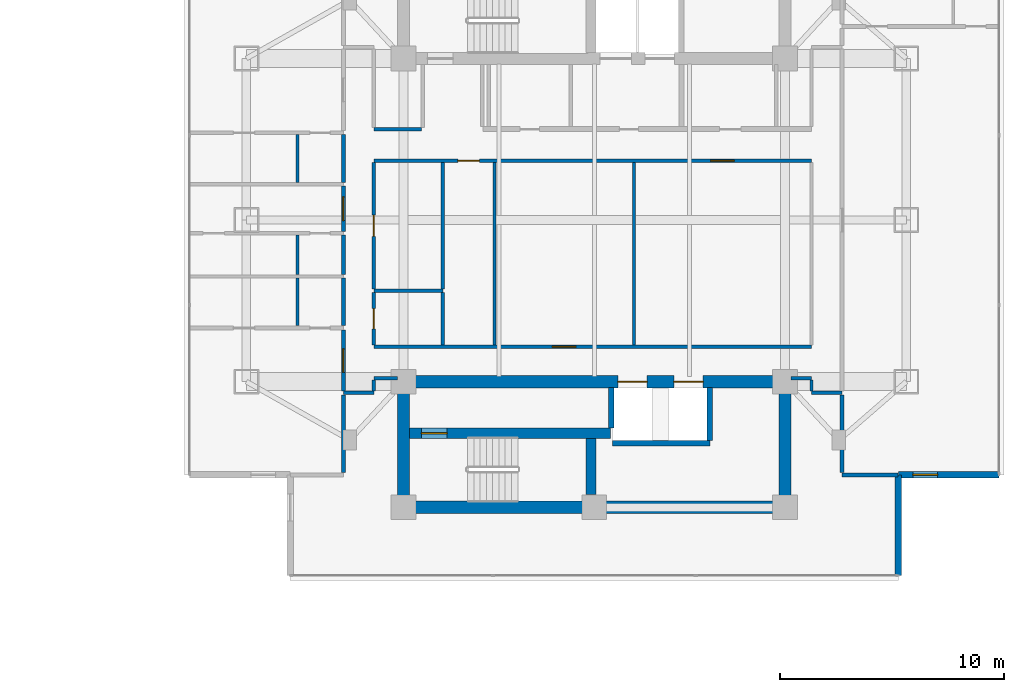
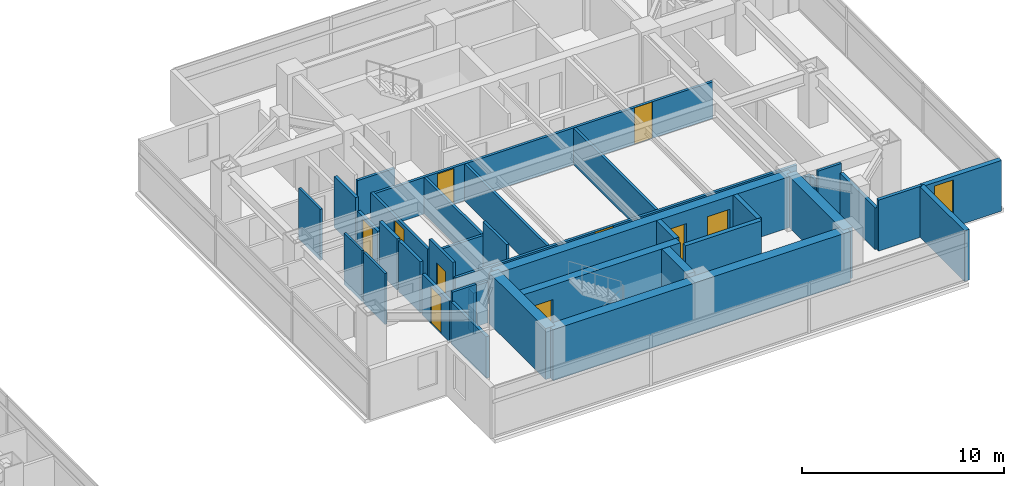
# One storey, part 16 of 24: 38 walls, 10 doors, 1 window, 11 openings.
"""IFC4 building model written with IfcOpenShell, lengths in metres."""

import ifcopenshell
import ifcopenshell.guid

model = None  # the IFC model being written
_history = None  # IfcOwnerHistory: only IFC2X3 demands one
_inside = {}  # id of a spatial element -> (the spatial element, [elements in it])
_under = {}  # id of a project, library or spatial element -> (it, [spatial elements below it])
_declared = {}  # id of a project -> (the project, [libraries it declares])
_typed = {}  # id of a type object -> (the type object, [elements of that type])
_made_of = {}  # id of a material, layer set ... -> (it, [elements and type objects made of it])


def new_model(schema):
    """Start an empty IFC model of exactly this schema.

    Asked for "IFC4X3", IfcOpenShell would pick the latest addendum, in which some entities
    have other attributes; the version numbers below select the first issue.
    IFC2X3 requires an IfcOwnerHistory on every rooted entity: one is made here for all.
    """
    global model, _history
    if schema == "IFC4X3":
        model = ifcopenshell.file(schema_version=(4, 3, 0, 0))
    else:
        model = ifcopenshell.file(schema=schema)
    _inside.clear()
    _under.clear()
    _declared.clear()
    _typed.clear()
    _made_of.clear()
    _history = None
    if model.schema == "IFC2X3":
        org = make("IfcOrganization", Name="unknown")
        user = make(
            "IfcPersonAndOrganization",
            ThePerson=make("IfcPerson", FamilyName="unknown"),
            TheOrganization=org,
        )
        app = make(
            "IfcApplication",
            ApplicationDeveloper=org,
            Version="unknown",
            ApplicationFullName="unknown",
            ApplicationIdentifier="unknown",
        )
        _history = make(
            "IfcOwnerHistory",
            OwningUser=user,
            OwningApplication=app,
            ChangeAction="ADDED",
            CreationDate=0,
        )
    return model


def make(cls, **values):
    """One entity of the class cls with the attributes given. An attribute that is None is left unset."""
    return model.create_entity(
        cls, **{name: value for name, value in values.items() if value is not None}
    )


def rooted(cls, **values):
    """An entity with a GlobalId (a new one), such as an element, a storey or a relation."""
    return make(cls, GlobalId=ifcopenshell.guid.new(), OwnerHistory=_history, **values)


def si_unit(unit_type, name, prefix=None):
    """IfcSIUnit, for example si_unit("LENGTHUNIT", "METRE", prefix="MILLI")."""
    return make("IfcSIUnit", UnitType=unit_type, Prefix=prefix, Name=name)


def assignment(units):
    """IfcUnitAssignment: the units of a project."""
    return None if units is None else make("IfcUnitAssignment", Units=units)


def point(xyz):
    """IfcCartesianPoint."""
    return None if xyz is None else make("IfcCartesianPoint", Coordinates=xyz)


def direction(xyz):
    """IfcDirection."""
    return None if xyz is None else make("IfcDirection", DirectionRatios=xyz)


def frame(location, z_axis=None, x_axis=None):
    """IfcAxis2Placement3D, a coordinate frame: its origin and axes. An axis left out is left unset."""
    return make(
        "IfcAxis2Placement3D",
        Location=point(location),
        Axis=direction(z_axis),
        RefDirection=direction(x_axis),
    )


def frame_2d(location, x_axis=None):
    """IfcAxis2Placement2D, a coordinate frame in the plane: its origin and x axis."""
    return make(
        "IfcAxis2Placement2D", Location=point(location), RefDirection=direction(x_axis)
    )


def origin():
    """The frame at (0, 0, 0) with its axes left unset."""
    return frame((0.0, 0.0, 0.0))


def place(relative_to, where):
    """IfcLocalPlacement: puts the frame where relative to a parent placement (None: the world)."""
    return make(
        "IfcLocalPlacement", PlacementRelTo=relative_to, RelativePlacement=where
    )


def context(
    kind, dimensions, precision=None, world=None, true_north=None, identifier=None
):
    """IfcGeometricRepresentationContext, for example the 3D "Model" context."""
    return make(
        "IfcGeometricRepresentationContext",
        ContextIdentifier=identifier,
        ContextType=kind,
        CoordinateSpaceDimension=dimensions,
        Precision=precision,
        WorldCoordinateSystem=world,
        TrueNorth=true_north,
    )


def subcontext(parent, identifier, kind, view, scale=None):
    """IfcGeometricRepresentationSubContext, for example "Body" below "Model"."""
    return make(
        "IfcGeometricRepresentationSubContext",
        ContextIdentifier=identifier,
        ContextType=kind,
        ParentContext=parent,
        TargetScale=scale,
        TargetView=view,
    )


def project(units=None, contexts=None):
    """IfcProject with its units and contexts."""
    return rooted(
        "IfcProject",
        Name="project",
        RepresentationContexts=contexts,
        UnitsInContext=assignment(units),
    )


def spatial(cls, under=None, at=None, **own):
    """A site, building, storey or space (cls), placed at a placement, below another one or the project."""
    s = rooted(cls, ObjectPlacement=at, **own)
    if under is not None:
        _under.setdefault(under.id(), (under, []))[1].append(s)
    return s


def profile(cls, at=None, kind="AREA", **sizes):
    """A parametric profile (cls). Its sizes go by their IFC names, for example OverallWidth=200.0."""
    return make(cls, ProfileType=kind, Position=at, **sizes)


def rectangle(**sizes):
    """IfcRectangleProfileDef."""
    return profile("IfcRectangleProfileDef", **sizes)


def extrude(swept, where, along, depth):
    """IfcExtrudedAreaSolid: the profile swept, set in the frame where, extruded along a direction by depth."""
    return make(
        "IfcExtrudedAreaSolid",
        SweptArea=swept,
        Position=where,
        ExtrudedDirection=direction(along),
        Depth=depth,
    )


def shape(context_of_items, identifier, shape_type, items):
    """IfcShapeRepresentation: the items that make up one representation, for example the "Body"."""
    return make(
        "IfcShapeRepresentation",
        ContextOfItems=context_of_items,
        RepresentationIdentifier=identifier,
        RepresentationType=shape_type,
        Items=items,
    )


def material(Name=None, Category=None):
    """IfcMaterial."""
    return make("IfcMaterial", Name=Name, Category=Category)


def layer(
    of_material, thickness, ventilated=None, Name=None, Category=None, Priority=None
):
    """IfcMaterialLayer: one layer of a wall or slab, of a material (None: an air gap)."""
    return make(
        "IfcMaterialLayer",
        Material=of_material,
        LayerThickness=thickness,
        IsVentilated=ventilated,
        Name=Name,
        Category=Category,
        Priority=Priority,
    )


def layer_set(layers, Name=None):
    """IfcMaterialLayerSet."""
    return make("IfcMaterialLayerSet", MaterialLayers=layers, LayerSetName=Name)


def made_of(thing, what):
    """Note that an element or type object is made of a material, layer set ...; save() writes the relation."""
    if what is not None:
        _made_of.setdefault(what.id(), (what, []))[1].append(thing)
    return thing


def type_object(cls, material=None, **own):
    """A type object (cls), such as IfcWallType, which elements share."""
    return made_of(rooted(cls, **own), material)


def element(
    cls,
    number,
    at=None,
    inside=None,
    cuts=None,
    type_object=None,
    material=None,
    context=None,
    identifier="Body",
    shape_type=None,
    held_by="IfcProductDefinitionShape",
    body=None,
    shapes=None,
    **own,
):
    """One element of the class cls, such as IfcWall. Its Tag is "e" and its number.

    at: its placement. inside: the storey or other place that contains it. cuts: it is an
    opening in that element (IfcRelVoidsElement). A single representation is given by context,
    identifier, shape_type and body (its items); several are given by shapes. held_by: the class
    of the entity that holds the representations. save() writes the other relations.
    """
    e = rooted(cls, Tag="e%d" % number, ObjectPlacement=at, **own)
    if body is not None:
        shapes = [shape(context, identifier, shape_type, body)]
    if shapes is not None:
        e.Representation = make(held_by, Representations=shapes)
    if inside is not None:
        _inside.setdefault(inside.id(), (inside, []))[1].append(e)
    if cuts is not None:
        rooted(
            "IfcRelVoidsElement", RelatingBuildingElement=cuts, RelatedOpeningElement=e
        )
    if type_object is not None:
        _typed.setdefault(type_object.id(), (type_object, []))[1].append(e)
    return made_of(e, material)


def fill(opening, filler):
    """IfcRelFillsElement: the door or window that sits in an opening."""
    return rooted(
        "IfcRelFillsElement",
        RelatingOpeningElement=opening,
        RelatedBuildingElement=filler,
    )


def aggregate(whole, parts):
    """IfcRelAggregates: a whole, such as a stair, and the parts it consists of."""
    return rooted("IfcRelAggregates", RelatingObject=whole, RelatedObjects=parts)


def save(model, path):
    """Write the relations noted so far, then the file.

    IfcRelAggregates (storeys below a building ...), IfcRelContainedInSpatialStructure (elements
    in a storey), IfcRelDefinesByType, IfcRelAssociatesMaterial and IfcRelDeclares: one each for
    every whole, place, type object, material and project.
    """
    for whole, parts in _under.values():
        aggregate(whole, parts)
    for where, things in _inside.values():
        rooted(
            "IfcRelContainedInSpatialStructure",
            RelatedElements=things,
            RelatingStructure=where,
        )
    for kind, things in _typed.values():
        rooted("IfcRelDefinesByType", RelatedObjects=things, RelatingType=kind)
    for what, things in _made_of.values():
        rooted("IfcRelAssociatesMaterial", RelatedObjects=things, RelatingMaterial=what)
    for by, libraries in _declared.values():
        rooted("IfcRelDeclares", RelatingContext=by, RelatedDefinitions=libraries)
    model.write(path)


model = new_model("IFC4")

# Units and contexts
model_context = context("Model", 3, precision=1e-05, world=origin(), true_north=direction((0.0, 1.0)))
body_context = subcontext(model_context, "Body", "Model", "MODEL_VIEW")
ifc_project = project(units=[si_unit("LENGTHUNIT", "METRE"), si_unit("AREAUNIT", "SQUARE_METRE"), si_unit("VOLUMEUNIT", "CUBIC_METRE"), si_unit("PLANEANGLEUNIT", "RADIAN"), si_unit("MASSUNIT", "GRAM", prefix="KILO")], contexts=[model_context])

# Site, building, storey
site_placement = place(None, origin())
site = spatial("IfcSite", under=ifc_project, at=site_placement, CompositionType="ELEMENT")
building_placement = place(site_placement, origin())
building = spatial("IfcBuilding", under=site, at=building_placement, Name="Mirazonda Arch Towers", CompositionType="ELEMENT")
storey_placement = place(building_placement, frame((0.0, 0.0, 134.60009765625)))
storey = spatial("IfcBuildingStorey", under=building, at=storey_placement, Name="L38", CompositionType="ELEMENT", Elevation=134.60009765625)

# Wall, opening, door
ifc_material_1 = material(Name="Concrete C50/60", Category="concrete")
ifc_layer_1 = layer(ifc_material_1, 0.449951171875, Name="WALL-CORE-450")
ifc_layer_set_1 = layer_set([ifc_layer_1], Name="Concrete C50/60")
wall_type_1 = type_object("IfcWallType", Name="WALL-CORE-450", PredefinedType="SHEAR", material=ifc_layer_set_1)
wall_1_placement = place(storey_placement, frame((68.27001953125, 18.5, 0.0), z_axis=(0.0, 0.0, 1.0), x_axis=(1.0, 0.0, 0.0)))
wall_1 = element("IfcWall", 1, at=wall_1_placement, inside=storey, type_object=wall_type_1, Name="L38 Stair Core Shear Wall 014", PredefinedType="SHEAR", context=body_context, shape_type="SweptSolid", body=[
    extrude(rectangle(XDim=8.949951171875, YDim=0.449951171875, at=frame_2d((4.47509765625, 0.0))), origin(), (0.0, 0.0, 1.0), 3.079833984375),
])
opening_1_placement = place(wall_1_placement, frame((0.52001953125, 0.0, 0.0)))
opening_1 = element("IfcOpeningElement", 2, at=opening_1_placement, cuts=wall_1, Name="Opening DR-135", PredefinedType="OPENING", context=body_context, shape_type="SweptSolid", body=[
    extrude(rectangle(XDim=1.14990234375, YDim=2.199951171875, at=frame_2d((0.574951171875, 1.10009765625))), frame((0.0, 0.23486328125, 0.0), z_axis=(0.0, -1.0, 0.0), x_axis=(1.0, 0.0, 0.0)), (0.0, 0.0, 1.0), 0.469970703125),
])
ifc_material_2 = material(Name="Architectural Brushed Steel S355", Category="steel")
door_type_1 = type_object("IfcDoorType", Name="DOOR-STAIR-FD90-1150", OperationType="NOTDEFINED", PredefinedType="DOOR", material=ifc_material_2)
door_1_placement = place(opening_1_placement, origin())
door_1 = element("IfcDoor", 3, at=door_1_placement, inside=storey, type_object=door_type_1, Name="L38 East Protected Stair South Door", OperationType="SINGLE_SWING_RIGHT", OverallHeight=2.199951171875, OverallWidth=1.14990234375, PredefinedType="DOOR", context=body_context, shape_type="SweptSolid", body=[
    extrude(rectangle(XDim=1.14990234375, YDim=2.199951171875, at=frame_2d((0.574951171875, 1.10009765625))), frame((0.0, 0.02490234375, 0.0), z_axis=(0.0, -1.0, 0.0), x_axis=(1.0, 0.0, 0.0)), (0.0, 0.0, 1.0), 0.050048828125),
])
fill(opening_1, door_1)

# Walls
wall_2_placement = place(storey_placement, frame((76.360107421875, 15.764892578125, 0.0), z_axis=(0.0, 0.0, 1.0), x_axis=(0.0, 1.0, 0.0)))
element("IfcWall", 4, at=wall_2_placement, inside=storey, type_object=wall_type_1, Name="L38 Stair Core Shear Wall 143", PredefinedType="SHEAR", context=body_context, shape_type="SweptSolid", body=[
    extrude(rectangle(XDim=2.5, YDim=0.449951171875, at=frame_2d((1.25, 0.0))), origin(), (0.0, 0.0, 1.0), 3.079833984375),
])
ifc_layer_2 = layer(ifc_material_1, 0.550048828125, Name="WALL-CORE-550")
ifc_layer_set_2 = layer_set([ifc_layer_2], Name="Concrete C50/60")
wall_type_2 = type_object("IfcWallType", Name="WALL-CORE-550", PredefinedType="SHEAR", material=ifc_layer_set_2)
wall_3_placement = place(storey_placement, frame((68.0, 15.199951171875, 0.0), z_axis=(0.0, 0.0, 1.0), x_axis=(1.0, 0.0, 0.0)))
element("IfcWall", 5, at=wall_3_placement, inside=storey, type_object=wall_type_2, Name="L38 T2S-S Core Shear Wall", PredefinedType="SHEAR", context=body_context, shape_type="SweptSolid", body=[
    extrude(rectangle(XDim=17.0, YDim=0.550048828125, at=frame_2d((8.5, 0.0))), origin(), (0.0, 0.0, 1.0), 3.079833984375),
])
for number, where, z_axis, x_axis, name in (
    (6, (68.0, 15.199951171875, 0.0), (0.0, 0.0, 1.0), (0.0, 1.0, 0.0), "L38 T2S-W Core Shear Wall"),
    (7, (85.0, 15.199951171875, 0.0), (0.0, 0.0, 1.0), (0.0, 1.0, 0.0), "L38 T2S-E Core Shear Wall"),
):
    element("IfcWall", number, at=place(storey_placement, frame(where, z_axis=z_axis, x_axis=x_axis)), inside=storey, type_object=wall_type_2, Name=name, PredefinedType="SHEAR", context=body_context, shape_type="SweptSolid", body=[
        extrude(rectangle(XDim=5.60009765625, YDim=0.550048828125, at=frame_2d((2.800048828125, 0.0))), origin(), (0.0, 0.0, 1.0), 3.079833984375),
    ])

# Wall, openings, doors
wall_4_placement = place(storey_placement, frame((68.0, 20.800048828125, 0.0), z_axis=(0.0, 0.0, 1.0), x_axis=(1.0, 0.0, 0.0)))
wall_4 = element("IfcWall", 8, at=wall_4_placement, inside=storey, type_object=wall_type_2, Name="L38 T2S-N Core Shear Wall", PredefinedType="SHEAR", context=body_context, shape_type="SweptSolid", body=[
    extrude(rectangle(XDim=17.0, YDim=0.550048828125, at=frame_2d((8.5, 0.0))), origin(), (0.0, 0.0, 1.0), 3.079833984375),
])
opening_2_placement = place(wall_4_placement, frame((9.550048828125, 0.0, 0.0)))
opening_2 = element("IfcOpeningElement", 9, at=opening_2_placement, cuts=wall_4, Name="Opening LD-111", PredefinedType="OPENING", context=body_context, shape_type="SweptSolid", body=[
    extrude(rectangle(XDim=1.300048828125, YDim=2.300048828125, at=frame_2d((0.64990234375, 1.14990234375))), frame((0.0, 0.284912109375, 0.0), z_axis=(0.0, -1.0, 0.0), x_axis=(1.0, 0.0, 0.0)), (0.0, 0.0, 1.0), 0.570068359375),
])
opening_3_placement = place(wall_4_placement, frame((12.050048828125, 0.0, 0.0)))
opening_3 = element("IfcOpeningElement", 10, at=opening_3_placement, cuts=wall_4, Name="Opening LD-111", PredefinedType="OPENING", context=body_context, shape_type="SweptSolid", body=[
    extrude(rectangle(XDim=1.300048828125, YDim=2.300048828125, at=frame_2d((0.64990234375, 1.14990234375))), frame((0.0, 0.284912109375, 0.0), z_axis=(0.0, -1.0, 0.0), x_axis=(1.0, 0.0, 0.0)), (0.0, 0.0, 1.0), 0.570068359375),
])
door_type_2 = type_object("IfcDoorType", Name="DOOR-LIFT-LAND-1300", OperationType="NOTDEFINED", PredefinedType="DOOR", material=ifc_material_2)
door_2_placement = place(opening_2_placement, origin())
door_2 = element("IfcDoor", 11, at=door_2_placement, inside=storey, type_object=door_type_2, Name="L38 Lift Landing Sliding Door PL-T2H1", OperationType="DOUBLE_DOOR_SLIDING", OverallHeight=2.300048828125, OverallWidth=1.300048828125, PredefinedType="DOOR", context=body_context, shape_type="SweptSolid", body=[
    extrude(rectangle(XDim=1.300048828125, YDim=2.300048828125, at=frame_2d((0.64990234375, 1.14990234375))), frame((0.0, 0.02490234375, 0.0), z_axis=(0.0, -1.0, 0.0), x_axis=(1.0, 0.0, 0.0)), (0.0, 0.0, 1.0), 0.050048828125),
])
fill(opening_2, door_2)
door_3_placement = place(opening_3_placement, origin())
door_3 = element("IfcDoor", 12, at=door_3_placement, inside=storey, type_object=door_type_2, Name="L38 Lift Landing Sliding Door PL-T2H2", OperationType="DOUBLE_DOOR_SLIDING", OverallHeight=2.300048828125, OverallWidth=1.300048828125, PredefinedType="DOOR", context=body_context, shape_type="SweptSolid", body=[
    extrude(rectangle(XDim=1.300048828125, YDim=2.300048828125, at=frame_2d((0.64990234375, 1.14990234375))), frame((0.0, 0.02490234375, 0.0), z_axis=(0.0, -1.0, 0.0), x_axis=(1.0, 0.0, 0.0)), (0.0, 0.0, 1.0), 0.050048828125),
])
fill(opening_3, door_3)

# Wall, opening, window
ifc_material_3 = material(Name="Precast Concrete C40/50", Category="concrete")
ifc_layer_3 = layer(ifc_material_3, 0.280029296875, Name="WALL-EXT-WALL-280")
ifc_layer_set_3 = layer_set([ifc_layer_3], Name="Precast Concrete C40/50")
wall_type_3 = type_object("IfcWallType", Name="WALL-EXT-WALL-280", PredefinedType="SOLIDWALL", material=ifc_layer_set_3)
wall_5_placement = place(storey_placement, frame((90.048583984375, 16.65087890625, 0.0), z_axis=(0.0, 0.0, 1.0), x_axis=(1.0, 0.0, 0.0)))
wall_5 = element("IfcWall", 13, at=wall_5_placement, inside=storey, type_object=wall_type_3, Name="L38 T2 Corner Notch Return Wall WL-L38-T2-CSE1", PredefinedType="SOLIDWALL", context=body_context, shape_type="SweptSolid", body=[
    extrude(rectangle(XDim=4.486328125, YDim=0.280029296875, at=frame_2d((2.2431640625, 0.0))), origin(), (0.0, 0.0, 1.0), 3.059814453125),
])
opening_4_placement = place(wall_5_placement, frame((0.64990234375, 0.0, 0.85009765625)))
opening_4 = element("IfcOpeningElement", 14, at=opening_4_placement, cuts=wall_5, Name="Opening WN-108", PredefinedType="OPENING", context=body_context, shape_type="SweptSolid", body=[
    extrude(rectangle(XDim=1.10009765625, YDim=2.0, at=frame_2d((0.550048828125, 1.0))), frame((0.0, 0.14990234375, 0.0), z_axis=(0.0, -1.0, 0.0), x_axis=(1.0, 0.0, 0.0)), (0.0, 0.0, 1.0), 0.300048828125),
])
ifc_material_4 = material(Name="Insulated Low-E Solar Glass", Category="glass")
window_type = type_object("IfcWindowType", Name="WIN-NOTCH-1100x2000", PartitioningType="SINGLE_PANEL", PredefinedType="WINDOW", material=ifc_material_4)
window_placement = place(opening_4_placement, origin())
window = element("IfcWindow", 15, at=window_placement, inside=storey, type_object=window_type, Name="L38 Punched Facade Window WN-L38-T2-CSE1", OverallHeight=2.0, OverallWidth=1.10009765625, PartitioningType="SINGLE_PANEL", PredefinedType="WINDOW", context=body_context, shape_type="SweptSolid", body=[
    extrude(rectangle(XDim=1.10009765625, YDim=2.0, at=frame_2d((0.550048828125, 1.0))), frame((0.0, 0.030029296875, 0.0), z_axis=(0.0, -1.0, 0.0), x_axis=(1.0, 0.0, 0.0)), (0.0, 0.0, 1.0), 0.06005859375),
])
fill(opening_4, window)

# Walls
wall_6_placement = place(storey_placement, frame((90.048583984375, 12.16455078125, 0.0), z_axis=(0.0, 0.0, 1.0), x_axis=(0.0, 1.0, 0.0)))
element("IfcWall", 16, at=wall_6_placement, inside=storey, type_object=wall_type_3, Name="L38 T2 Corner Notch Return Wall WL-L38-T2-CSE2", PredefinedType="SOLIDWALL", context=body_context, shape_type="SweptSolid", body=[
    extrude(rectangle(XDim=4.486328125, YDim=0.280029296875, at=frame_2d((2.2431640625, 0.0))), origin(), (0.0, 0.0, 1.0), 3.059814453125),
])
ifc_material_5 = material(Name="Fire-Rated Gypsum Stud Partition")
ifc_layer_4 = layer(ifc_material_5, 0.14990234375, Name="WALL-PART-CORR-150")
ifc_layer_set_4 = layer_set([ifc_layer_4], Name="Fire-Rated Gypsum Stud Partition")
wall_type_4 = type_object("IfcWallType", Name="WALL-PART-CORR-150", PredefinedType="PARTITIONING", material=ifc_layer_set_4)
wall_7_placement = place(storey_placement, frame((65.320068359375, 20.300048828125, 0.0), z_axis=(0.0, 0.0, 1.0), x_axis=(1.0, 0.0, 0.0)))
element("IfcWall", 17, at=wall_7_placement, inside=storey, type_object=wall_type_4, Name="L38 Interior Partition 018", PredefinedType="PARTITIONING", context=body_context, shape_type="SweptSolid", body=[
    extrude(rectangle(XDim=1.35986328125, YDim=0.14990234375, at=frame_2d((0.679931640625, 0.0))), origin(), (0.0, 0.0, 1.0), 3.079833984375),
])
wall_8_placement = place(storey_placement, frame((86.179931640625, 20.300048828125, 0.0), z_axis=(0.0, 0.0, 1.0), x_axis=(1.0, 0.0, 0.0)))
element("IfcWall", 18, at=wall_8_placement, inside=storey, type_object=wall_type_4, Name="L38 Interior Partition 019", PredefinedType="PARTITIONING", context=body_context, shape_type="SweptSolid", body=[
    extrude(rectangle(XDim=1.360107421875, YDim=0.14990234375, at=frame_2d((0.68017578125, 0.0))), origin(), (0.0, 0.0, 1.0), 3.079833984375),
])
wall_9_placement = place(storey_placement, frame((66.679931640625, 20.949951171875, 0.0), z_axis=(0.0, 0.0, 1.0), x_axis=(1.0, 0.0, 0.0)))
element("IfcWall", 19, at=wall_9_placement, inside=storey, type_object=wall_type_4, Name="L38 Interior Partition 020", PredefinedType="PARTITIONING", context=body_context, shape_type="SweptSolid", body=[
    extrude(rectangle(XDim=1.050048828125, YDim=0.14990234375, at=frame_2d((0.52490234375, 0.0))), origin(), (0.0, 0.0, 1.0), 2.471923828125),
])
wall_10_placement = place(storey_placement, frame((85.27001953125, 20.949951171875, 0.0), z_axis=(0.0, 0.0, 1.0), x_axis=(1.0, 0.0, 0.0)))
element("IfcWall", 20, at=wall_10_placement, inside=storey, type_object=wall_type_4, Name="L38 Interior Partition 021", PredefinedType="PARTITIONING", context=body_context, shape_type="SweptSolid", body=[
    extrude(rectangle(XDim=0.909912109375, YDim=0.14990234375, at=frame_2d((0.455078125, 0.0))), origin(), (0.0, 0.0, 1.0), 2.471923828125),
])

# Wall, opening, door
wall_11_placement = place(storey_placement, frame((66.679931640625, 22.35009765625, 0.0), z_axis=(0.0, 0.0, 1.0), x_axis=(1.0, 0.0, 0.0)))
wall_11 = element("IfcWall", 21, at=wall_11_placement, inside=storey, type_object=wall_type_4, Name="L38 Interior Partition 023", PredefinedType="PARTITIONING", context=body_context, shape_type="SweptSolid", body=[
    extrude(rectangle(XDim=19.5, YDim=0.14990234375, at=frame_2d((9.75, 0.0))), origin(), (0.0, 0.0, 1.0), 2.2158203125),
])
opening_5_placement = place(wall_11_placement, frame((7.95361328125, 0.0, 0.0)))
opening_5 = element("IfcOpeningElement", 22, at=opening_5_placement, cuts=wall_11, Name="Opening DR-121", PredefinedType="OPENING", context=body_context, shape_type="SweptSolid", body=[
    extrude(rectangle(XDim=1.050048828125, YDim=2.199951171875, at=frame_2d((0.52490234375, 1.10009765625))), frame((0.0, 0.0849609375, 0.0), z_axis=(0.0, -1.0, 0.0), x_axis=(1.0, 0.0, 0.0)), (0.0, 0.0, 1.0), 0.169921875),
])
door_type_3 = type_object("IfcDoorType", Name="DOOR-SUITE-FD60-1050", OperationType="NOTDEFINED", PredefinedType="DOOR", material=ifc_material_2)
door_4_placement = place(opening_5_placement, origin())
door_4 = element("IfcDoor", 23, at=door_4_placement, inside=storey, type_object=door_type_3, Name="L38 Executive Club Lounge Door", OperationType="SINGLE_SWING_RIGHT", OverallHeight=2.199951171875, OverallWidth=1.050048828125, PredefinedType="DOOR", context=body_context, shape_type="SweptSolid", body=[
    extrude(rectangle(XDim=1.050048828125, YDim=2.199951171875, at=frame_2d((0.52490234375, 1.10009765625))), frame((0.0, 0.02490234375, 0.0), z_axis=(0.0, -1.0, 0.0), x_axis=(1.0, 0.0, 0.0)), (0.0, 0.0, 1.0), 0.050048828125),
])
fill(opening_5, door_4)

# Wall
wall_12_placement = place(storey_placement, frame((66.679931640625, 24.85009765625, 0.0), z_axis=(0.0, 0.0, 1.0), x_axis=(1.0, 0.0, 0.0)))
element("IfcWall", 24, at=wall_12_placement, inside=storey, type_object=wall_type_4, Name="L38 Interior Partition 027", PredefinedType="PARTITIONING", context=body_context, shape_type="SweptSolid", body=[
    extrude(rectangle(XDim=3.070068359375, YDim=0.14990234375, at=frame_2d((1.53515625, 0.0))), origin(), (0.0, 0.0, 1.0), 2.2158203125),
])

# Wall, openings, doors
wall_13_placement = place(storey_placement, frame((66.679931640625, 30.64990234375, 0.0), z_axis=(0.0, 0.0, 1.0), x_axis=(1.0, 0.0, 0.0)))
wall_13 = element("IfcWall", 25, at=wall_13_placement, inside=storey, type_object=wall_type_4, Name="L38 Interior Partition 038", PredefinedType="PARTITIONING", context=body_context, shape_type="SweptSolid", body=[
    extrude(rectangle(XDim=19.5, YDim=0.14990234375, at=frame_2d((9.75, 0.0))), origin(), (0.0, 0.0, 1.0), 2.2158203125),
])
opening_6_placement = place(wall_13_placement, frame((3.7451171875, 0.0, 0.0)))
opening_6 = element("IfcOpeningElement", 26, at=opening_6_placement, cuts=wall_13, Name="Opening DR-104", PredefinedType="OPENING", context=body_context, shape_type="SweptSolid", body=[
    extrude(rectangle(XDim=0.949951171875, YDim=2.14990234375, at=frame_2d((0.47509765625, 1.074951171875))), frame((0.0, 0.0849609375, 0.0), z_axis=(0.0, -1.0, 0.0), x_axis=(1.0, 0.0, 0.0)), (0.0, 0.0, 1.0), 0.169921875),
])
opening_7_placement = place(wall_13_placement, frame((14.99853515625, 0.0, 0.0)))
opening_7 = element("IfcOpeningElement", 27, at=opening_7_placement, cuts=wall_13, Name="Opening DR-121", PredefinedType="OPENING", context=body_context, shape_type="SweptSolid", body=[
    extrude(rectangle(XDim=1.050048828125, YDim=2.199951171875, at=frame_2d((0.52490234375, 1.10009765625))), frame((0.0, 0.0849609375, 0.0), z_axis=(0.0, -1.0, 0.0), x_axis=(1.0, 0.0, 0.0)), (0.0, 0.0, 1.0), 0.169921875),
])
door_type_4 = type_object("IfcDoorType", Name="DOOR-ROOM-950", OperationType="NOTDEFINED", PredefinedType="DOOR", material=ifc_material_2)
door_5_placement = place(opening_6_placement, origin())
door_5 = element("IfcDoor", 28, at=door_5_placement, inside=storey, type_object=door_type_4, Name="L38 L38 East Courtyard Study Door", OperationType="SINGLE_SWING_LEFT", OverallHeight=2.14990234375, OverallWidth=0.949951171875, PredefinedType="DOOR", context=body_context, shape_type="SweptSolid", body=[
    extrude(rectangle(XDim=0.949951171875, YDim=2.14990234375, at=frame_2d((0.47509765625, 1.074951171875))), frame((0.0, 0.02490234375, 0.0), z_axis=(0.0, -1.0, 0.0), x_axis=(1.0, 0.0, 0.0)), (0.0, 0.0, 1.0), 0.050048828125),
])
fill(opening_6, door_5)
door_6_placement = place(opening_7_placement, origin())
door_6 = element("IfcDoor", 29, at=door_6_placement, inside=storey, type_object=door_type_3, Name="L38 Business Reading Study Door", OperationType="SINGLE_SWING_LEFT", OverallHeight=2.199951171875, OverallWidth=1.050048828125, PredefinedType="DOOR", context=body_context, shape_type="SweptSolid", body=[
    extrude(rectangle(XDim=1.050048828125, YDim=2.199951171875, at=frame_2d((0.52490234375, 1.10009765625))), frame((0.0, 0.02490234375, 0.0), z_axis=(0.0, -1.0, 0.0), x_axis=(1.0, 0.0, 0.0)), (0.0, 0.0, 1.0), 0.050048828125),
])
fill(opening_7, door_6)

# Walls
wall_14_placement = place(storey_placement, frame((66.679931640625, 32.050048828125, 0.0), z_axis=(0.0, 0.0, 1.0), x_axis=(1.0, 0.0, 0.0)))
element("IfcWall", 30, at=wall_14_placement, inside=storey, type_object=wall_type_4, Name="L38 Interior Partition 042", PredefinedType="PARTITIONING", context=body_context, shape_type="SweptSolid", body=[
    extrude(rectangle(XDim=2.1201171875, YDim=0.14990234375, at=frame_2d((1.06005859375, 0.0))), origin(), (0.0, 0.0, 1.0), 2.2158203125),
])
wall_15_placement = place(storey_placement, frame((66.679931640625, 20.385009765625, 0.0), z_axis=(0.0, 0.0, 1.0), x_axis=(0.0, 1.0, 0.0)))
element("IfcWall", 31, at=wall_15_placement, inside=storey, type_object=wall_type_4, Name="L38 Interior Partition 132", PredefinedType="PARTITIONING", context=body_context, shape_type="SweptSolid", body=[
    extrude(rectangle(XDim=0.47998046875, YDim=0.14990234375, at=frame_2d((0.239990234375, 0.0))), origin(), (0.0, 0.0, 1.0), 2.471923828125),
])

# Wall, opening, door
wall_16_placement = place(storey_placement, frame((66.679931640625, 22.43505859375, 0.0), z_axis=(0.0, 0.0, 1.0), x_axis=(0.0, 1.0, 0.0)))
wall_16 = element("IfcWall", 32, at=wall_16_placement, inside=storey, type_object=wall_type_4, Name="L38 Interior Partition 133", PredefinedType="PARTITIONING", context=body_context, shape_type="SweptSolid", body=[
    extrude(rectangle(XDim=2.329833984375, YDim=0.14990234375, at=frame_2d((1.1650390625, 0.0))), origin(), (0.0, 0.0, 1.0), 3.079833984375),
])
opening_8_placement = place(wall_16_placement, frame((0.715087890625, 0.0, 0.0)))
opening_8 = element("IfcOpeningElement", 33, at=opening_8_placement, cuts=wall_16, Name="Opening DR-120", PredefinedType="OPENING", context=body_context, shape_type="SweptSolid", body=[
    extrude(rectangle(XDim=0.89990234375, YDim=2.10009765625, at=frame_2d((0.449951171875, 1.050048828125))), frame((0.0, 0.0849609375, 0.0), z_axis=(0.0, -1.0, 0.0), x_axis=(1.0, 0.0, 0.0)), (0.0, 0.0, 1.0), 0.169921875),
])
door_type_5 = type_object("IfcDoorType", Name="DOOR-WC-900", OperationType="NOTDEFINED", PredefinedType="DOOR", material=ifc_material_2)
door_7_placement = place(opening_8_placement, origin())
door_7 = element("IfcDoor", 34, at=door_7_placement, inside=storey, type_object=door_type_5, Name="L38 Tower 2 Common Accessible WC Door", OperationType="SINGLE_SWING_LEFT", OverallHeight=2.10009765625, OverallWidth=0.89990234375, PredefinedType="DOOR", context=body_context, shape_type="SweptSolid", body=[
    extrude(rectangle(XDim=0.89990234375, YDim=2.10009765625, at=frame_2d((0.449951171875, 1.050048828125))), frame((0.0, 0.02490234375, 0.0), z_axis=(0.0, -1.0, 0.0), x_axis=(1.0, 0.0, 0.0)), (0.0, 0.0, 1.0), 0.050048828125),
])
fill(opening_8, door_7)

wall_17_placement = place(storey_placement, frame((66.679931640625, 24.93505859375, 0.0), z_axis=(0.0, 0.0, 1.0), x_axis=(0.0, 1.0, 0.0)))
wall_17 = element("IfcWall", 35, at=wall_17_placement, inside=storey, type_object=wall_type_4, Name="L38 Interior Partition 134", PredefinedType="PARTITIONING", context=body_context, shape_type="SweptSolid", body=[
    extrude(rectangle(XDim=5.6298828125, YDim=0.14990234375, at=frame_2d((2.81494140625, 0.0))), origin(), (0.0, 0.0, 1.0), 2.3759765625),
])
opening_9_placement = place(wall_17_placement, frame((2.340087890625, 0.0, 0.0)))
opening_9 = element("IfcOpeningElement", 36, at=opening_9_placement, cuts=wall_17, Name="Opening DR-104", PredefinedType="OPENING", context=body_context, shape_type="SweptSolid", body=[
    extrude(rectangle(XDim=0.949951171875, YDim=2.14990234375, at=frame_2d((0.47509765625, 1.074951171875))), frame((0.0, 0.0849609375, 0.0), z_axis=(0.0, -1.0, 0.0), x_axis=(1.0, 0.0, 0.0)), (0.0, 0.0, 1.0), 0.169921875),
])
door_8_placement = place(opening_9_placement, origin())
door_8 = element("IfcDoor", 37, at=door_8_placement, inside=storey, type_object=door_type_4, Name="L38 L38 East Courtyard Reading Study Door", OperationType="SINGLE_SWING_RIGHT", OverallHeight=2.14990234375, OverallWidth=0.949951171875, PredefinedType="DOOR", context=body_context, shape_type="SweptSolid", body=[
    extrude(rectangle(XDim=0.949951171875, YDim=2.14990234375, at=frame_2d((0.47509765625, 1.074951171875))), frame((0.0, 0.02490234375, 0.0), z_axis=(0.0, -1.0, 0.0), x_axis=(1.0, 0.0, 0.0)), (0.0, 0.0, 1.0), 0.050048828125),
])
fill(opening_9, door_8)

# Walls
wall_18_placement = place(storey_placement, frame((69.743408203125, 22.43505859375, 0.0), z_axis=(0.0, 0.0, 1.0), x_axis=(0.0, 1.0, 0.0)))
element("IfcWall", 38, at=wall_18_placement, inside=storey, type_object=wall_type_4, Name="L38 Interior Partition 137", PredefinedType="PARTITIONING", context=body_context, shape_type="SweptSolid", body=[
    extrude(rectangle(XDim=2.329833984375, YDim=0.14990234375, at=frame_2d((1.1650390625, 0.0))), origin(), (0.0, 0.0, 1.0), 3.079833984375),
])
wall_19_placement = place(storey_placement, frame((69.743408203125, 24.93505859375, 0.0), z_axis=(0.0, 0.0, 1.0), x_axis=(0.0, 1.0, 0.0)))
element("IfcWall", 39, at=wall_19_placement, inside=storey, type_object=wall_type_4, Name="L38 Interior Partition 138", PredefinedType="PARTITIONING", context=body_context, shape_type="SweptSolid", body=[
    extrude(rectangle(XDim=5.6298828125, YDim=0.14990234375, at=frame_2d((2.81494140625, 0.0))), origin(), (0.0, 0.0, 1.0), 2.2158203125),
])
for number, where, z_axis, x_axis, name in (
    (40, (72.050048828125, 22.43505859375, 0.0), (0.0, 0.0, 1.0), (0.0, 1.0, 0.0), "L38 Interior Partition 141"),
    (41, (78.26708984375, 22.43505859375, 0.0), (0.0, 0.0, 1.0), (0.0, 1.0, 0.0), "L38 Interior Partition 146"),
):
    element("IfcWall", number, at=place(storey_placement, frame(where, z_axis=z_axis, x_axis=x_axis)), inside=storey, type_object=wall_type_4, Name=name, PredefinedType="PARTITIONING", context=body_context, shape_type="SweptSolid", body=[
        extrude(rectangle(XDim=8.1298828125, YDim=0.14990234375, at=frame_2d((4.06494140625, 0.0))), origin(), (0.0, 0.0, 1.0), 2.2158203125),
    ])
wall_20_placement = place(storey_placement, frame((86.179931640625, 20.385009765625, 0.0), z_axis=(0.0, 0.0, 1.0), x_axis=(0.0, 1.0, 0.0)))
element("IfcWall", 42, at=wall_20_placement, inside=storey, type_object=wall_type_4, Name="L38 Interior Partition 152", PredefinedType="PARTITIONING", context=body_context, shape_type="SweptSolid", body=[
    extrude(rectangle(XDim=0.47998046875, YDim=0.14990234375, at=frame_2d((0.239990234375, 0.0))), origin(), (0.0, 0.0, 1.0), 2.471923828125),
])
ifc_material_6 = material(Name="Fire-Rated Gypsum Twin-Stud Assembly")
ifc_layer_5 = layer(ifc_material_6, 0.179931640625, Name="WALL-PART-DEMISE-180")
ifc_layer_set_5 = layer_set([ifc_layer_5], Name="Fire-Rated Gypsum Twin-Stud Assembly")
wall_type_5 = type_object("IfcWallType", Name="WALL-PART-DEMISE-180", PredefinedType="PARTITIONING", material=ifc_layer_set_5)
wall_21_placement = place(storey_placement, frame((87.5400390625, 16.65087890625, 0.0), z_axis=(0.0, 0.0, 1.0), x_axis=(1.0, 0.0, 0.0)))
element("IfcWall", 43, at=wall_21_placement, inside=storey, type_object=wall_type_5, Name="L38 Interior Partition 010", PredefinedType="PARTITIONING", context=body_context, shape_type="SweptSolid", body=[
    extrude(rectangle(XDim=2.488525390625, YDim=0.179931640625, at=frame_2d((1.244140625, 0.0))), origin(), (0.0, 0.0, 1.0), 3.079833984375),
])
wall_22_placement = place(storey_placement, frame((65.320068359375, 16.7509765625, 0.0), z_axis=(0.0, 0.0, 1.0), x_axis=(0.0, 1.0, 0.0)))
element("IfcWall", 44, at=wall_22_placement, inside=storey, type_object=wall_type_5, Name="L38 Interior Partition 124", PredefinedType="PARTITIONING", context=body_context, shape_type="SweptSolid", body=[
    extrude(rectangle(XDim=3.464111328125, YDim=0.179931640625, at=frame_2d((1.73193359375, 0.0))), origin(), (0.0, 0.0, 1.0), 2.52294921875),
])

# Wall, opening, door
wall_23_placement = place(storey_placement, frame((65.320068359375, 20.385009765625, 0.0), z_axis=(0.0, 0.0, 1.0), x_axis=(0.0, 1.0, 0.0)))
wall_23 = element("IfcWall", 45, at=wall_23_placement, inside=storey, type_object=wall_type_5, Name="L38 Interior Partition 125", PredefinedType="PARTITIONING", context=body_context, shape_type="SweptSolid", body=[
    extrude(rectangle(XDim=2.70703125, YDim=0.179931640625, at=frame_2d((1.353515625, 0.0))), origin(), (0.0, 0.0, 1.0), 2.471923828125),
])
opening_10_placement = place(wall_23_placement, frame((0.82861328125, 0.0, 0.0)))
opening_10 = element("IfcOpeningElement", 46, at=opening_10_placement, cuts=wall_23, Name="Opening DR-121", PredefinedType="OPENING", context=body_context, shape_type="SweptSolid", body=[
    extrude(rectangle(XDim=1.050048828125, YDim=2.199951171875, at=frame_2d((0.52490234375, 1.10009765625))), frame((0.0, 0.099853515625, 0.0), z_axis=(0.0, -1.0, 0.0), x_axis=(1.0, 0.0, 0.0)), (0.0, 0.0, 1.0), 0.199951171875),
])
door_9_placement = place(opening_10_placement, origin())
door_9 = element("IfcDoor", 47, at=door_9_placement, inside=storey, type_object=door_type_3, Name="L38 King Hotel Guestroom 1 Door", OperationType="SINGLE_SWING_RIGHT", OverallHeight=2.199951171875, OverallWidth=1.050048828125, PredefinedType="DOOR", context=body_context, shape_type="SweptSolid", body=[
    extrude(rectangle(XDim=1.050048828125, YDim=2.199951171875, at=frame_2d((0.52490234375, 1.10009765625))), frame((0.0, 0.02490234375, 0.0), z_axis=(0.0, -1.0, 0.0), x_axis=(1.0, 0.0, 0.0)), (0.0, 0.0, 1.0), 0.050048828125),
])
fill(opening_10, door_9)

# Walls
wall_24_placement = place(storey_placement, frame((65.320068359375, 23.2919921875, 0.0), z_axis=(0.0, 0.0, 1.0), x_axis=(0.0, 1.0, 0.0)))
element("IfcWall", 48, at=wall_24_placement, inside=storey, type_object=wall_type_5, Name="L38 Interior Partition 126", PredefinedType="PARTITIONING", context=body_context, shape_type="SweptSolid", body=[
    extrude(rectangle(XDim=2.12744140625, YDim=0.179931640625, at=frame_2d((1.063720703125, 0.0))), origin(), (0.0, 0.0, 1.0), 3.079833984375),
])
wall_25_placement = place(storey_placement, frame((65.320068359375, 25.564453125, 0.0), z_axis=(0.0, 0.0, 1.0), x_axis=(0.0, 1.0, 0.0)))
element("IfcWall", 49, at=wall_25_placement, inside=storey, type_object=wall_type_5, Name="L38 Interior Partition 127", PredefinedType="PARTITIONING", context=body_context, shape_type="SweptSolid", body=[
    extrude(rectangle(XDim=1.762451171875, YDim=0.179931640625, at=frame_2d((0.88134765625, 0.0))), origin(), (0.0, 0.0, 1.0), 3.079833984375),
])

# Wall, opening, door
wall_26_placement = place(storey_placement, frame((65.320068359375, 27.4970703125, 0.0), z_axis=(0.0, 0.0, 1.0), x_axis=(0.0, 1.0, 0.0)))
wall_26 = element("IfcWall", 50, at=wall_26_placement, inside=storey, type_object=wall_type_5, Name="L38 Interior Partition 128", PredefinedType="PARTITIONING", context=body_context, shape_type="SweptSolid", body=[
    extrude(rectangle(XDim=2.013916015625, YDim=0.179931640625, at=frame_2d((1.0068359375, 0.0))), origin(), (0.0, 0.0, 1.0), 2.3759765625),
])
opening_11_placement = place(wall_26_placement, frame((0.48193359375, 0.0, 0.0)))
opening_11 = element("IfcOpeningElement", 51, at=opening_11_placement, cuts=wall_26, Name="Opening DR-121", PredefinedType="OPENING", context=body_context, shape_type="SweptSolid", body=[
    extrude(rectangle(XDim=1.050048828125, YDim=2.199951171875, at=frame_2d((0.52490234375, 1.10009765625))), frame((0.0, 0.099853515625, 0.0), z_axis=(0.0, -1.0, 0.0), x_axis=(1.0, 0.0, 0.0)), (0.0, 0.0, 1.0), 0.199951171875),
])
door_10_placement = place(opening_11_placement, origin())
door_10 = element("IfcDoor", 52, at=door_10_placement, inside=storey, type_object=door_type_3, Name="L38 Twin Hotel Guestroom 2 Door", OperationType="SINGLE_SWING_LEFT", OverallHeight=2.199951171875, OverallWidth=1.050048828125, PredefinedType="DOOR", context=body_context, shape_type="SweptSolid", body=[
    extrude(rectangle(XDim=1.050048828125, YDim=2.199951171875, at=frame_2d((0.52490234375, 1.10009765625))), frame((0.0, 0.02490234375, 0.0), z_axis=(0.0, -1.0, 0.0), x_axis=(1.0, 0.0, 0.0)), (0.0, 0.0, 1.0), 0.050048828125),
])
fill(opening_11, door_10)

# Walls
wall_27_placement = place(storey_placement, frame((65.320068359375, 29.680908203125, 0.0), z_axis=(0.0, 0.0, 1.0), x_axis=(0.0, 1.0, 0.0)))
element("IfcWall", 53, at=wall_27_placement, inside=storey, type_object=wall_type_5, Name="L38 Interior Partition 129", PredefinedType="PARTITIONING", context=body_context, shape_type="SweptSolid", body=[
    extrude(rectangle(XDim=2.130126953125, YDim=0.179931640625, at=frame_2d((1.06494140625, 0.0))), origin(), (0.0, 0.0, 1.0), 3.079833984375),
])
wall_28_placement = place(storey_placement, frame((87.5400390625, 16.7509765625, 0.0), z_axis=(0.0, 0.0, 1.0), x_axis=(0.0, 1.0, 0.0)))
element("IfcWall", 54, at=wall_28_placement, inside=storey, type_object=wall_type_5, Name="L38 Interior Partition 155", PredefinedType="PARTITIONING", context=body_context, shape_type="SweptSolid", body=[
    extrude(rectangle(XDim=3.464111328125, YDim=0.179931640625, at=frame_2d((1.73193359375, 0.0))), origin(), (0.0, 0.0, 1.0), 2.52294921875),
])
ifc_material_7 = material(Name="Acoustic Fire-Rated Gypsum Partition")
ifc_layer_6 = layer(ifc_material_7, 0.125, Name="WALL-PART-UNIT-125")
ifc_layer_set_6 = layer_set([ifc_layer_6], Name="Acoustic Fire-Rated Gypsum Partition")
wall_type_6 = type_object("IfcWallType", Name="WALL-PART-UNIT-125", PredefinedType="PARTITIONING", material=ifc_layer_set_6)
wall_29_placement = place(storey_placement, frame((63.280029296875, 23.2919921875, 0.0), z_axis=(0.0, 0.0, 1.0), x_axis=(0.0, 1.0, 0.0)))
element("IfcWall", 55, at=wall_29_placement, inside=storey, type_object=wall_type_6, Name="L38 Interior Partition 121", PredefinedType="PARTITIONING", context=body_context, shape_type="SweptSolid", body=[
    extrude(rectangle(XDim=2.12744140625, YDim=0.125, at=frame_2d((1.063720703125, 0.0))), origin(), (0.0, 0.0, 1.0), 3.079833984375),
])
wall_30_placement = place(storey_placement, frame((63.280029296875, 25.564453125, 0.0), z_axis=(0.0, 0.0, 1.0), x_axis=(0.0, 1.0, 0.0)))
element("IfcWall", 56, at=wall_30_placement, inside=storey, type_object=wall_type_6, Name="L38 Interior Partition 122", PredefinedType="PARTITIONING", context=body_context, shape_type="SweptSolid", body=[
    extrude(rectangle(XDim=1.762451171875, YDim=0.125, at=frame_2d((0.88134765625, 0.0))), origin(), (0.0, 0.0, 1.0), 3.079833984375),
])
wall_31_placement = place(storey_placement, frame((63.280029296875, 29.680908203125, 0.0), z_axis=(0.0, 0.0, 1.0), x_axis=(0.0, 1.0, 0.0)))
element("IfcWall", 57, at=wall_31_placement, inside=storey, type_object=wall_type_6, Name="L38 Interior Partition 123", PredefinedType="PARTITIONING", context=body_context, shape_type="SweptSolid", body=[
    extrude(rectangle(XDim=2.130126953125, YDim=0.125, at=frame_2d((1.06494140625, 0.0))), origin(), (0.0, 0.0, 1.0), 3.079833984375),
])
ifc_material_8 = material(Name="Concrete C40/50", Category="concrete")
ifc_layer_7 = layer(ifc_material_8, 0.25, Name="WALL-SHAFT-250")
ifc_layer_set_7 = layer_set([ifc_layer_7], Name="Concrete C40/50")
wall_type_7 = type_object("IfcWallType", Name="WALL-SHAFT-250", PredefinedType="SOLIDWALL", material=ifc_layer_set_7)
wall_32_placement = place(storey_placement, frame((77.300048828125, 18.050048828125, 0.0), z_axis=(0.0, 0.0, 1.0), x_axis=(1.0, 0.0, 0.0)))
element("IfcWall", 58, at=wall_32_placement, inside=storey, type_object=wall_type_7, Name="L38 Interior Partition 011", PredefinedType="SOLIDWALL", context=body_context, shape_type="SweptSolid", body=[
    extrude(rectangle(XDim=4.349853515625, YDim=0.25, at=frame_2d((2.1748046875, 0.0))), origin(), (0.0, 0.0, 1.0), 3.079833984375),
])
wall_33_placement = place(storey_placement, frame((77.260009765625, 18.735107421875, 0.0), z_axis=(0.0, 0.0, 1.0), x_axis=(0.0, 1.0, 0.0)))
element("IfcWall", 59, at=wall_33_placement, inside=storey, type_object=wall_type_7, Name="L38 Interior Partition 145", PredefinedType="SOLIDWALL", context=body_context, shape_type="SweptSolid", body=[
    extrude(rectangle(XDim=1.794921875, YDim=0.25, at=frame_2d((0.8974609375, 0.0))), origin(), (0.0, 0.0, 1.0), 3.079833984375),
])
wall_34_placement = place(storey_placement, frame((81.64990234375, 18.18505859375, 0.0), z_axis=(0.0, 0.0, 1.0), x_axis=(0.0, 1.0, 0.0)))
element("IfcWall", 60, at=wall_34_placement, inside=storey, type_object=wall_type_7, Name="L38 Interior Partition 150", PredefinedType="SOLIDWALL", context=body_context, shape_type="SweptSolid", body=[
    extrude(rectangle(XDim=2.344970703125, YDim=0.25, at=frame_2d((1.17236328125, 0.0))), origin(), (0.0, 0.0, 1.0), 3.079833984375),
])

save(model, "model.ifc")
